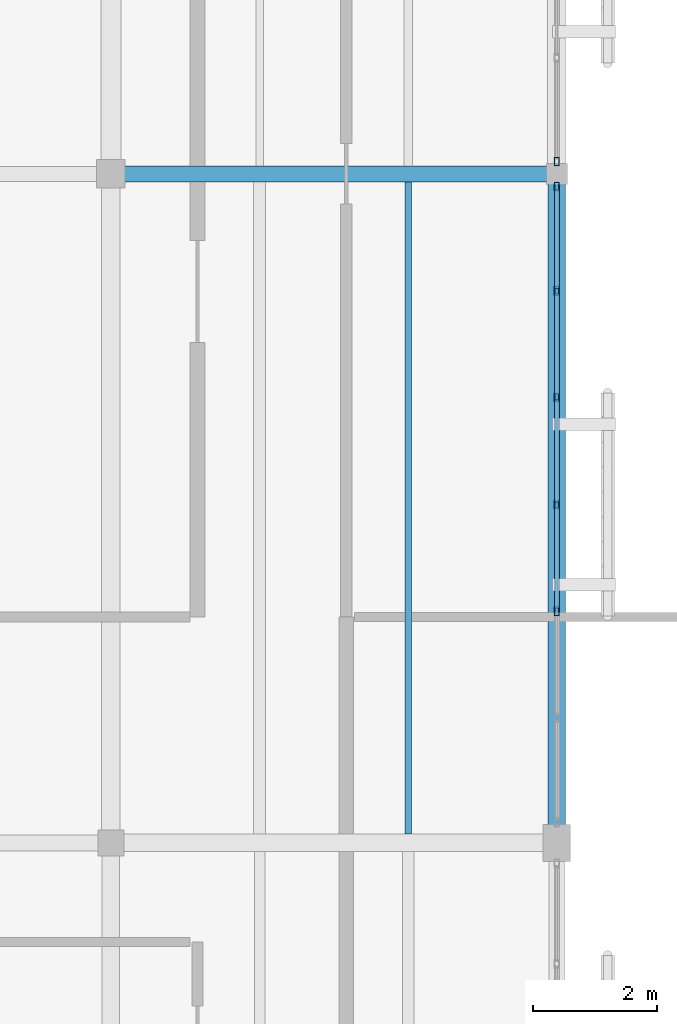
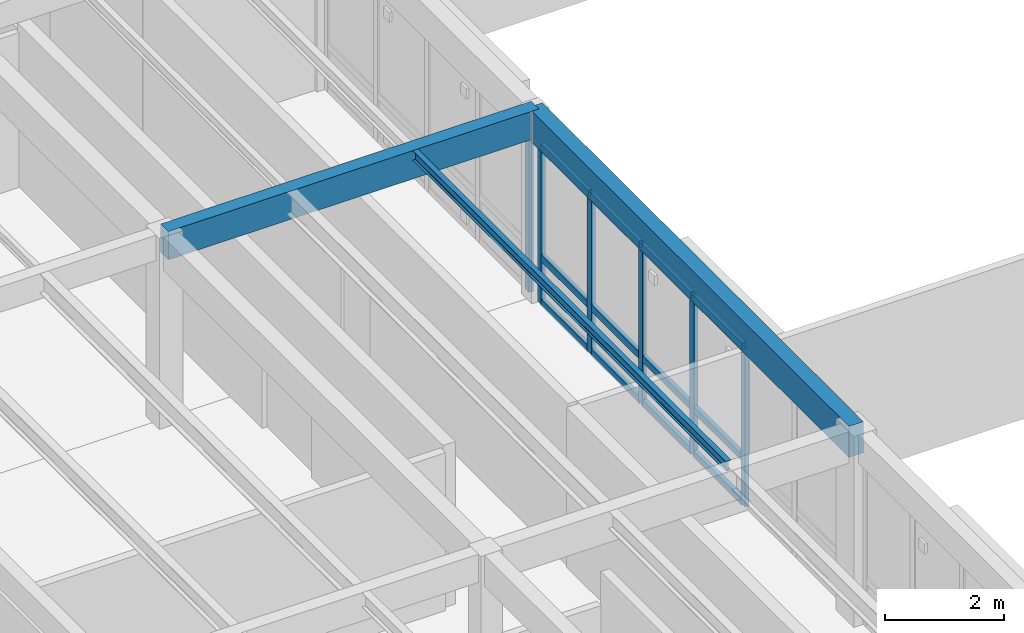
# One storey, part 27 of 112: 18 members, 3 beams, 2 elements without a shape of their own.
"""IFC4 building model written with IfcOpenShell, lengths in metres."""

import ifcopenshell
import ifcopenshell.guid

model = None  # the IFC model being written
_history = None  # IfcOwnerHistory: only IFC2X3 demands one
_inside = {}  # id of a spatial element -> (the spatial element, [elements in it])
_under = {}  # id of a project, library or spatial element -> (it, [spatial elements below it])
_declared = {}  # id of a project -> (the project, [libraries it declares])
_typed = {}  # id of a type object -> (the type object, [elements of that type])
_made_of = {}  # id of a material, layer set ... -> (it, [elements and type objects made of it])


def new_model(schema):
    """Start an empty IFC model of exactly this schema.

    Asked for "IFC4X3", IfcOpenShell would pick the latest addendum, in which some entities
    have other attributes; the version numbers below select the first issue.
    IFC2X3 requires an IfcOwnerHistory on every rooted entity: one is made here for all.
    """
    global model, _history
    if schema == "IFC4X3":
        model = ifcopenshell.file(schema_version=(4, 3, 0, 0))
    else:
        model = ifcopenshell.file(schema=schema)
    _inside.clear()
    _under.clear()
    _declared.clear()
    _typed.clear()
    _made_of.clear()
    _history = None
    if model.schema == "IFC2X3":
        org = make("IfcOrganization", Name="unknown")
        user = make(
            "IfcPersonAndOrganization",
            ThePerson=make("IfcPerson", FamilyName="unknown"),
            TheOrganization=org,
        )
        app = make(
            "IfcApplication",
            ApplicationDeveloper=org,
            Version="unknown",
            ApplicationFullName="unknown",
            ApplicationIdentifier="unknown",
        )
        _history = make(
            "IfcOwnerHistory",
            OwningUser=user,
            OwningApplication=app,
            ChangeAction="ADDED",
            CreationDate=0,
        )
    return model


def make(cls, **values):
    """One entity of the class cls with the attributes given. An attribute that is None is left unset."""
    return model.create_entity(
        cls, **{name: value for name, value in values.items() if value is not None}
    )


def rooted(cls, **values):
    """An entity with a GlobalId (a new one), such as an element, a storey or a relation."""
    return make(cls, GlobalId=ifcopenshell.guid.new(), OwnerHistory=_history, **values)


def si_unit(unit_type, name, prefix=None):
    """IfcSIUnit, for example si_unit("LENGTHUNIT", "METRE", prefix="MILLI")."""
    return make("IfcSIUnit", UnitType=unit_type, Prefix=prefix, Name=name)


def assignment(units):
    """IfcUnitAssignment: the units of a project."""
    return None if units is None else make("IfcUnitAssignment", Units=units)


def point(xyz):
    """IfcCartesianPoint."""
    return None if xyz is None else make("IfcCartesianPoint", Coordinates=xyz)


def direction(xyz):
    """IfcDirection."""
    return None if xyz is None else make("IfcDirection", DirectionRatios=xyz)


def frame(location, z_axis=None, x_axis=None):
    """IfcAxis2Placement3D, a coordinate frame: its origin and axes. An axis left out is left unset."""
    return make(
        "IfcAxis2Placement3D",
        Location=point(location),
        Axis=direction(z_axis),
        RefDirection=direction(x_axis),
    )


def frame_2d(location, x_axis=None):
    """IfcAxis2Placement2D, a coordinate frame in the plane: its origin and x axis."""
    return make(
        "IfcAxis2Placement2D", Location=point(location), RefDirection=direction(x_axis)
    )


def origin():
    """The frame at (0, 0, 0) with its axes left unset."""
    return frame((0.0, 0.0, 0.0))


def origin_2d():
    """The frame at (0, 0) in the plane with its x axis left unset."""
    return frame_2d((0.0, 0.0))


def place(relative_to, where):
    """IfcLocalPlacement: puts the frame where relative to a parent placement (None: the world)."""
    return make(
        "IfcLocalPlacement", PlacementRelTo=relative_to, RelativePlacement=where
    )


def context(
    kind, dimensions, precision=None, world=None, true_north=None, identifier=None
):
    """IfcGeometricRepresentationContext, for example the 3D "Model" context."""
    return make(
        "IfcGeometricRepresentationContext",
        ContextIdentifier=identifier,
        ContextType=kind,
        CoordinateSpaceDimension=dimensions,
        Precision=precision,
        WorldCoordinateSystem=world,
        TrueNorth=true_north,
    )


def subcontext(parent, identifier, kind, view, scale=None):
    """IfcGeometricRepresentationSubContext, for example "Body" below "Model"."""
    return make(
        "IfcGeometricRepresentationSubContext",
        ContextIdentifier=identifier,
        ContextType=kind,
        ParentContext=parent,
        TargetScale=scale,
        TargetView=view,
    )


def project(units=None, contexts=None):
    """IfcProject with its units and contexts."""
    return rooted(
        "IfcProject",
        Name="project",
        RepresentationContexts=contexts,
        UnitsInContext=assignment(units),
    )


def spatial(cls, under=None, at=None, **own):
    """A site, building, storey or space (cls), placed at a placement, below another one or the project."""
    s = rooted(cls, ObjectPlacement=at, **own)
    if under is not None:
        _under.setdefault(under.id(), (under, []))[1].append(s)
    return s


def profile(cls, at=None, kind="AREA", **sizes):
    """A parametric profile (cls). Its sizes go by their IFC names, for example OverallWidth=200.0."""
    return make(cls, ProfileType=kind, Position=at, **sizes)


def rectangle(**sizes):
    """IfcRectangleProfileDef."""
    return profile("IfcRectangleProfileDef", **sizes)


def hollow_rectangle(**sizes):
    """IfcRectangleHollowProfileDef."""
    return profile("IfcRectangleHollowProfileDef", **sizes)


def i_section(**sizes):
    """IfcIShapeProfileDef."""
    return profile("IfcIShapeProfileDef", **sizes)


def extrude(swept, where, along, depth):
    """IfcExtrudedAreaSolid: the profile swept, set in the frame where, extruded along a direction by depth."""
    return make(
        "IfcExtrudedAreaSolid",
        SweptArea=swept,
        Position=where,
        ExtrudedDirection=direction(along),
        Depth=depth,
    )


def shape(context_of_items, identifier, shape_type, items):
    """IfcShapeRepresentation: the items that make up one representation, for example the "Body"."""
    return make(
        "IfcShapeRepresentation",
        ContextOfItems=context_of_items,
        RepresentationIdentifier=identifier,
        RepresentationType=shape_type,
        Items=items,
    )


def material(Name=None, Category=None):
    """IfcMaterial."""
    return make("IfcMaterial", Name=Name, Category=Category)


def layer(
    of_material, thickness, ventilated=None, Name=None, Category=None, Priority=None
):
    """IfcMaterialLayer: one layer of a wall or slab, of a material (None: an air gap)."""
    return make(
        "IfcMaterialLayer",
        Material=of_material,
        LayerThickness=thickness,
        IsVentilated=ventilated,
        Name=Name,
        Category=Category,
        Priority=Priority,
    )


def layer_set(layers, Name=None):
    """IfcMaterialLayerSet."""
    return make("IfcMaterialLayerSet", MaterialLayers=layers, LayerSetName=Name)


def material_profile(
    of_material, cross_section, Name=None, Category=None, Priority=None
):
    """IfcMaterialProfile: a cross section and its material."""
    return make(
        "IfcMaterialProfile",
        Name=Name,
        Material=of_material,
        Profile=cross_section,
        Priority=Priority,
        Category=Category,
    )


def profile_set(profiles, Name=None, composite=None):
    """IfcMaterialProfileSet."""
    return make(
        "IfcMaterialProfileSet",
        Name=Name,
        MaterialProfiles=profiles,
        CompositeProfile=composite,
    )


def made_of(thing, what):
    """Note that an element or type object is made of a material, layer set ...; save() writes the relation."""
    if what is not None:
        _made_of.setdefault(what.id(), (what, []))[1].append(thing)
    return thing


def type_object(cls, material=None, **own):
    """A type object (cls), such as IfcWallType, which elements share."""
    return made_of(rooted(cls, **own), material)


def element(
    cls,
    number,
    at=None,
    inside=None,
    cuts=None,
    type_object=None,
    material=None,
    context=None,
    identifier="Body",
    shape_type=None,
    held_by="IfcProductDefinitionShape",
    body=None,
    shapes=None,
    **own,
):
    """One element of the class cls, such as IfcWall. Its Tag is "e" and its number.

    at: its placement. inside: the storey or other place that contains it. cuts: it is an
    opening in that element (IfcRelVoidsElement). A single representation is given by context,
    identifier, shape_type and body (its items); several are given by shapes. held_by: the class
    of the entity that holds the representations. save() writes the other relations.
    """
    e = rooted(cls, Tag="e%d" % number, ObjectPlacement=at, **own)
    if body is not None:
        shapes = [shape(context, identifier, shape_type, body)]
    if shapes is not None:
        e.Representation = make(held_by, Representations=shapes)
    if inside is not None:
        _inside.setdefault(inside.id(), (inside, []))[1].append(e)
    if cuts is not None:
        rooted(
            "IfcRelVoidsElement", RelatingBuildingElement=cuts, RelatedOpeningElement=e
        )
    if type_object is not None:
        _typed.setdefault(type_object.id(), (type_object, []))[1].append(e)
    return made_of(e, material)


def aggregate(whole, parts):
    """IfcRelAggregates: a whole, such as a stair, and the parts it consists of."""
    return rooted("IfcRelAggregates", RelatingObject=whole, RelatedObjects=parts)


def save(model, path):
    """Write the relations noted so far, then the file.

    IfcRelAggregates (storeys below a building ...), IfcRelContainedInSpatialStructure (elements
    in a storey), IfcRelDefinesByType, IfcRelAssociatesMaterial and IfcRelDeclares: one each for
    every whole, place, type object, material and project.
    """
    for whole, parts in _under.values():
        aggregate(whole, parts)
    for where, things in _inside.values():
        rooted(
            "IfcRelContainedInSpatialStructure",
            RelatedElements=things,
            RelatingStructure=where,
        )
    for kind, things in _typed.values():
        rooted("IfcRelDefinesByType", RelatedObjects=things, RelatingType=kind)
    for what, things in _made_of.values():
        rooted("IfcRelAssociatesMaterial", RelatedObjects=things, RelatingMaterial=what)
    for by, libraries in _declared.values():
        rooted("IfcRelDeclares", RelatingContext=by, RelatedDefinitions=libraries)
    model.write(path)


model = new_model("IFC4")

# Units and contexts
model_context = context("Model", 3, precision=1e-05, world=origin(), true_north=direction((0.0, 1.0)))
body_context = subcontext(model_context, "Body", "Model", "MODEL_VIEW")
ifc_project = project(units=[si_unit("LENGTHUNIT", "METRE"), si_unit("AREAUNIT", "SQUARE_METRE"), si_unit("VOLUMEUNIT", "CUBIC_METRE"), si_unit("PLANEANGLEUNIT", "RADIAN"), si_unit("MASSUNIT", "GRAM", prefix="KILO")], contexts=[model_context])

# Site, building, storey
site_placement = place(None, origin())
site = spatial("IfcSite", under=ifc_project, at=site_placement, CompositionType="ELEMENT")
building_placement = place(site_placement, origin())
building = spatial("IfcBuilding", under=site, at=building_placement, Name="Mazaris Harbour Polytechnic", CompositionType="ELEMENT")
storey_placement = place(building_placement, frame((0.0, 0.0, 13.800048828125)))
storey = spatial("IfcBuildingStorey", under=building, at=storey_placement, Name="L03", CompositionType="ELEMENT", Elevation=13.800048828125)

# Curtain wall, members
ifc_material_1 = material(Name="Anodised Bronze Aluminium and Low-E Glass", Category="aluminium")
ifc_layer = layer(ifc_material_1, 0.159912109375, Name="Anodised Bronze Aluminium and Low-E Glass")
ifc_layer_set = layer_set([ifc_layer], Name="Anodised Bronze Aluminium and Low-E Glass")
curtain_wall_type = type_object("IfcCurtainWallType", Name="Cloister Court Curtain Wall", PredefinedType="NOTDEFINED", material=ifc_layer_set)
curtain_wall_1_placement = place(storey_placement, origin())
curtain_wall_1 = element("IfcCurtainWall", 1, at=curtain_wall_1_placement, inside=storey, type_object=curtain_wall_type, Name="V4 L03 Curtain Wall 155", PredefinedType="NOTDEFINED")
ifc_material_2 = material(Name="Anodised Bronze Steel S355", Category="steel")
ifc_material_profile_1 = material_profile(ifc_material_2, hollow_rectangle(XDim=0.080078125, YDim=0.139892578125, WallThickness=0.00634765625, at=origin_2d()), Name="RHS 80x140x6.3")
ifc_profile_set_1 = profile_set([ifc_material_profile_1], Name="Anodised Bronze Steel S355")
member_type_1 = type_object("IfcMemberType", Name="Curtain Mullion RHS80x140", PredefinedType="MULLION", material=ifc_profile_set_1)
member_1_placement = place(storey_placement, frame((14.39990234375, 46.940673828125, 0.0), z_axis=(0.0, 0.0, 1.0), x_axis=(-1.0, 0.0, 0.0)))
member_1 = element("IfcMember", 2, at=member_1_placement, type_object=member_type_1, Name="CW-02 mullion 3", PredefinedType="MULLION", context=body_context, shape_type="SweptSolid", body=[
    extrude(hollow_rectangle(XDim=0.080078125, YDim=0.139892578125, WallThickness=0.00634765625, at=origin_2d()), origin(), (0.0, 0.0, 1.0), 3.27001953125),
])
member_2_placement = place(storey_placement, frame((14.39990234375, 48.6650390625, 0.0), z_axis=(0.0, 0.0, 1.0), x_axis=(-1.0, 0.0, 0.0)))
member_2 = element("IfcMember", 3, at=member_2_placement, type_object=member_type_1, Name="CW-02 mullion 4", PredefinedType="MULLION", context=body_context, shape_type="SweptSolid", body=[
    extrude(hollow_rectangle(XDim=0.080078125, YDim=0.139892578125, WallThickness=0.00634765625, at=origin_2d()), origin(), (0.0, 0.0, 1.0), 3.27001953125),
])
member_3_placement = place(storey_placement, frame((14.39990234375, 50.389404296875, 0.0), z_axis=(0.0, 0.0, 1.0), x_axis=(-1.0, 0.0, 0.0)))
member_3 = element("IfcMember", 4, at=member_3_placement, type_object=member_type_1, Name="CW-02 mullion 5", PredefinedType="MULLION", context=body_context, shape_type="SweptSolid", body=[
    extrude(hollow_rectangle(XDim=0.080078125, YDim=0.139892578125, WallThickness=0.00634765625, at=origin_2d()), origin(), (0.0, 0.0, 1.0), 3.27001953125),
])
member_4_placement = place(storey_placement, frame((14.39990234375, 52.11376953125, 0.0), z_axis=(0.0, 0.0, 1.0), x_axis=(-1.0, 0.0, 0.0)))
member_4 = element("IfcMember", 5, at=member_4_placement, type_object=member_type_1, Name="CW-02 mullion 6", PredefinedType="MULLION", context=body_context, shape_type="SweptSolid", body=[
    extrude(hollow_rectangle(XDim=0.080078125, YDim=0.139892578125, WallThickness=0.00634765625, at=origin_2d()), origin(), (0.0, 0.0, 1.0), 3.27001953125),
])
member_5_placement = place(storey_placement, frame((14.39990234375, 53.798095703125, 0.0), z_axis=(0.0, 0.0, 1.0), x_axis=(-1.0, 0.0, 0.0)))
member_5 = element("IfcMember", 6, at=member_5_placement, type_object=member_type_1, Name="CW-02 mullion 7", PredefinedType="MULLION", context=body_context, shape_type="SweptSolid", body=[
    extrude(hollow_rectangle(XDim=0.080078125, YDim=0.139892578125, WallThickness=0.00634765625, at=origin_2d()), origin(), (0.0, 0.0, 1.0), 3.27001953125),
])

# Curtain wall, member
curtain_wall_2_placement = place(storey_placement, origin())
curtain_wall_2 = element("IfcCurtainWall", 7, at=curtain_wall_2_placement, inside=storey, type_object=curtain_wall_type, Name="V4 L03 Curtain Wall 156", PredefinedType="NOTDEFINED")
member_6_placement = place(storey_placement, frame((14.39990234375, 54.201904296875, 0.0), z_axis=(0.0, 0.0, 1.0), x_axis=(-1.0, 0.0, 0.0)))
member_6 = element("IfcMember", 8, at=member_6_placement, type_object=member_type_1, Name="CW-02 mullion 1", PredefinedType="MULLION", context=body_context, shape_type="SweptSolid", body=[
    extrude(hollow_rectangle(XDim=0.080078125, YDim=0.139892578125, WallThickness=0.00634765625, at=origin_2d()), origin(), (0.0, 0.0, 1.0), 3.22998046875),
])
aggregate(curtain_wall_2, [member_6])

# Member
ifc_material_3 = material(Name="Anodised Bronze Steel S355", Category="steel")
ifc_material_profile_2 = material_profile(ifc_material_3, hollow_rectangle(XDim=0.080078125, YDim=0.139892578125, WallThickness=0.00634765625, at=origin_2d()), Name="RHS 80x140x6.3")
ifc_profile_set_2 = profile_set([ifc_material_profile_2], Name="Anodised Bronze Steel S355")
member_type_2 = type_object("IfcMemberType", Name="Curtain Transom RHS80x140", PredefinedType="USERDEFINED", material=ifc_profile_set_2)
member_7_placement = place(storey_placement, frame((14.39990234375, 46.980712890625, 0.0400390625), z_axis=(0.0, 1.0, 0.0), x_axis=(-1.0, 0.0, 0.0)))
member_7 = element("IfcMember", 9, at=member_7_placement, type_object=member_type_2, Name="CW-02 transom 3.1", ObjectType="TRANSOM", PredefinedType="USERDEFINED", context=body_context, shape_type="SweptSolid", body=[
    extrude(hollow_rectangle(XDim=0.080078125, YDim=0.139892578125, WallThickness=0.00634765625, at=origin_2d()), origin(), (0.0, 0.0, 1.0), 1.644287109375),
])

member_8_placement = place(storey_placement, frame((14.39990234375, 46.980712890625, 0.949951171875), z_axis=(0.0, 1.0, 0.0), x_axis=(-1.0, 0.0, 0.0)))
member_8 = element("IfcMember", 10, at=member_8_placement, type_object=member_type_2, Name="CW-02 transom 3.2", ObjectType="TRANSOM", PredefinedType="USERDEFINED", context=body_context, shape_type="SweptSolid", body=[
    extrude(hollow_rectangle(XDim=0.080078125, YDim=0.139892578125, WallThickness=0.00634765625, at=origin_2d()), origin(), (0.0, 0.0, 1.0), 1.644287109375),
])

member_9_placement = place(storey_placement, frame((14.39990234375, 46.980712890625, 3.22998046875), z_axis=(0.0, 1.0, 0.0), x_axis=(-1.0, 0.0, 0.0)))
member_9 = element("IfcMember", 11, at=member_9_placement, type_object=member_type_2, Name="CW-02 transom 3.3", ObjectType="TRANSOM", PredefinedType="USERDEFINED", context=body_context, shape_type="SweptSolid", body=[
    extrude(hollow_rectangle(XDim=0.080078125, YDim=0.139892578125, WallThickness=0.00634765625, at=origin_2d()), origin(), (0.0, 0.0, 1.0), 1.644287109375),
])

member_10_placement = place(storey_placement, frame((14.39990234375, 48.705078125, 0.0400390625), z_axis=(0.0, 1.0, 0.0), x_axis=(-1.0, 0.0, 0.0)))
member_10 = element("IfcMember", 12, at=member_10_placement, type_object=member_type_2, Name="CW-02 transom 4.1", ObjectType="TRANSOM", PredefinedType="USERDEFINED", context=body_context, shape_type="SweptSolid", body=[
    extrude(hollow_rectangle(XDim=0.080078125, YDim=0.139892578125, WallThickness=0.00634765625, at=origin_2d()), origin(), (0.0, 0.0, 1.0), 1.644287109375),
])

member_11_placement = place(storey_placement, frame((14.39990234375, 48.705078125, 0.949951171875), z_axis=(0.0, 1.0, 0.0), x_axis=(-1.0, 0.0, 0.0)))
member_11 = element("IfcMember", 13, at=member_11_placement, type_object=member_type_2, Name="CW-02 transom 4.2", ObjectType="TRANSOM", PredefinedType="USERDEFINED", context=body_context, shape_type="SweptSolid", body=[
    extrude(hollow_rectangle(XDim=0.080078125, YDim=0.139892578125, WallThickness=0.00634765625, at=origin_2d()), origin(), (0.0, 0.0, 1.0), 1.644287109375),
])

member_12_placement = place(storey_placement, frame((14.39990234375, 48.705078125, 3.22998046875), z_axis=(0.0, 1.0, 0.0), x_axis=(-1.0, 0.0, 0.0)))
member_12 = element("IfcMember", 14, at=member_12_placement, type_object=member_type_2, Name="CW-02 transom 4.3", ObjectType="TRANSOM", PredefinedType="USERDEFINED", context=body_context, shape_type="SweptSolid", body=[
    extrude(hollow_rectangle(XDim=0.080078125, YDim=0.139892578125, WallThickness=0.00634765625, at=origin_2d()), origin(), (0.0, 0.0, 1.0), 1.644287109375),
])

member_13_placement = place(storey_placement, frame((14.39990234375, 50.429443359375, 0.0400390625), z_axis=(0.0, 1.0, 0.0), x_axis=(-1.0, 0.0, 0.0)))
member_13 = element("IfcMember", 15, at=member_13_placement, type_object=member_type_2, Name="CW-02 transom 5.1", ObjectType="TRANSOM", PredefinedType="USERDEFINED", context=body_context, shape_type="SweptSolid", body=[
    extrude(hollow_rectangle(XDim=0.080078125, YDim=0.139892578125, WallThickness=0.00634765625, at=origin_2d()), origin(), (0.0, 0.0, 1.0), 1.644287109375),
])

member_14_placement = place(storey_placement, frame((14.39990234375, 50.429443359375, 0.949951171875), z_axis=(0.0, 1.0, 0.0), x_axis=(-1.0, 0.0, 0.0)))
member_14 = element("IfcMember", 16, at=member_14_placement, type_object=member_type_2, Name="CW-02 transom 5.2", ObjectType="TRANSOM", PredefinedType="USERDEFINED", context=body_context, shape_type="SweptSolid", body=[
    extrude(hollow_rectangle(XDim=0.080078125, YDim=0.139892578125, WallThickness=0.00634765625, at=origin_2d()), origin(), (0.0, 0.0, 1.0), 1.644287109375),
])

member_15_placement = place(storey_placement, frame((14.39990234375, 50.429443359375, 3.22998046875), z_axis=(0.0, 1.0, 0.0), x_axis=(-1.0, 0.0, 0.0)))
member_15 = element("IfcMember", 17, at=member_15_placement, type_object=member_type_2, Name="CW-02 transom 5.3", ObjectType="TRANSOM", PredefinedType="USERDEFINED", context=body_context, shape_type="SweptSolid", body=[
    extrude(hollow_rectangle(XDim=0.080078125, YDim=0.139892578125, WallThickness=0.00634765625, at=origin_2d()), origin(), (0.0, 0.0, 1.0), 1.644287109375),
])

member_16_placement = place(storey_placement, frame((14.39990234375, 52.153564453125, 0.0400390625), z_axis=(0.0, 1.0, 0.0), x_axis=(-1.0, 0.0, 0.0)))
member_16 = element("IfcMember", 18, at=member_16_placement, type_object=member_type_2, Name="CW-02 transom 6.1", ObjectType="TRANSOM", PredefinedType="USERDEFINED", context=body_context, shape_type="SweptSolid", body=[
    extrude(hollow_rectangle(XDim=0.080078125, YDim=0.139892578125, WallThickness=0.00634765625, at=origin_2d()), origin(), (0.0, 0.0, 1.0), 1.6044921875),
])

member_17_placement = place(storey_placement, frame((14.39990234375, 52.153564453125, 0.949951171875), z_axis=(0.0, 1.0, 0.0), x_axis=(-1.0, 0.0, 0.0)))
member_17 = element("IfcMember", 19, at=member_17_placement, type_object=member_type_2, Name="CW-02 transom 6.2", ObjectType="TRANSOM", PredefinedType="USERDEFINED", context=body_context, shape_type="SweptSolid", body=[
    extrude(hollow_rectangle(XDim=0.080078125, YDim=0.139892578125, WallThickness=0.00634765625, at=origin_2d()), origin(), (0.0, 0.0, 1.0), 1.6044921875),
])

member_18_placement = place(storey_placement, frame((14.39990234375, 52.153564453125, 3.22998046875), z_axis=(0.0, 1.0, 0.0), x_axis=(-1.0, 0.0, 0.0)))
member_18 = element("IfcMember", 20, at=member_18_placement, type_object=member_type_2, Name="CW-02 transom 6.3", ObjectType="TRANSOM", PredefinedType="USERDEFINED", context=body_context, shape_type="SweptSolid", body=[
    extrude(hollow_rectangle(XDim=0.080078125, YDim=0.139892578125, WallThickness=0.00634765625, at=origin_2d()), origin(), (0.0, 0.0, 1.0), 1.6044921875),
])

aggregate(curtain_wall_1, [member_1, member_2, member_3, member_4, member_5, member_7, member_8, member_9, member_10, member_11, member_12, member_13, member_14, member_15, member_16, member_17, member_18])

# Beams
ifc_material_4 = material(Name="Glulam GL32h", Category="wood")
ifc_material_profile_3 = material_profile(ifc_material_4, rectangle(XDim=0.260009765625, YDim=0.580078125, at=origin_2d()), Name="RECT260x580")
ifc_profile_set_3 = profile_set([ifc_material_profile_3], Name="Glulam GL32h")
beam_type_1 = type_object("IfcBeamType", Name="Glulam Girder 260x580", PredefinedType="BEAM", material=ifc_profile_set_3)
beam_1_placement = place(storey_placement, frame((7.199951171875, 54.0, 3.6298828125), z_axis=(1.0, 0.0, 0.0), x_axis=(0.0, 1.0, 0.0)))
element("IfcBeam", 21, at=beam_1_placement, inside=storey, type_object=beam_type_1, Name="V4 L03 Girder 2201", PredefinedType="BEAM", context=body_context, shape_type="SweptSolid", body=[
    extrude(rectangle(XDim=0.260009765625, YDim=0.580078125, at=origin_2d()), origin(), (0.0, 0.0, 1.0), 7.199951171875),
])
ifc_material_5 = material(Name="Glulam GL32h", Category="wood")
ifc_material_profile_4 = material_profile(ifc_material_5, rectangle(XDim=0.280029296875, YDim=0.639892578125, at=origin_2d()), Name="RECT280x640")
ifc_profile_set_4 = profile_set([ifc_material_profile_4], Name="Glulam GL32h")
beam_type_2 = type_object("IfcBeamType", Name="Glulam Girder 280x640", PredefinedType="BEAM", material=ifc_profile_set_4)
beam_2_placement = place(storey_placement, frame((14.39990234375, 43.199951171875, 3.599853515625), z_axis=(0.0, 1.0, 0.0), x_axis=(-1.0, 0.0, 0.0)))
element("IfcBeam", 22, at=beam_2_placement, inside=storey, type_object=beam_type_2, Name="V4 L03 Tie Girder 2242", PredefinedType="BEAM", context=body_context, shape_type="SweptSolid", body=[
    extrude(rectangle(XDim=0.280029296875, YDim=0.639892578125, at=origin_2d()), origin(), (0.0, 0.0, 1.0), 10.800048828125),
])
ifc_material_6 = material(Name="Steel S355", Category="steel")
ifc_material_profile_5 = material_profile(ifc_material_6, i_section(OverallWidth=0.10009765625, OverallDepth=0.199951171875, WebThickness=0.005615234375, FlangeThickness=0.008544921875, FilletRadius=0.011962890625, at=origin_2d()), Name="IPE 200")
ifc_profile_set_5 = profile_set([ifc_material_profile_5], Name="Steel S355")
beam_type_3 = type_object("IfcBeamType", Name="Steel Joist IPE200", PredefinedType="JOIST", material=ifc_profile_set_5)
beam_3_placement = place(storey_placement, frame((12.0, 43.340087890625, 3.820068359375), z_axis=(0.0, 1.0, 0.0), x_axis=(-1.0, 0.0, 0.0)))
element("IfcBeam", 23, at=beam_3_placement, inside=storey, type_object=beam_type_3, Name="V4 L03 Floor Joist 2303", PredefinedType="JOIST", context=body_context, shape_type="SweptSolid", body=[
    extrude(i_section(OverallWidth=0.10009765625, OverallDepth=0.199951171875, WebThickness=0.005615234375, FlangeThickness=0.008544921875, FilletRadius=0.011962890625, at=origin_2d()), origin(), (0.0, 0.0, 1.0), 10.530029296875),
])

save(model, "model.ifc")
